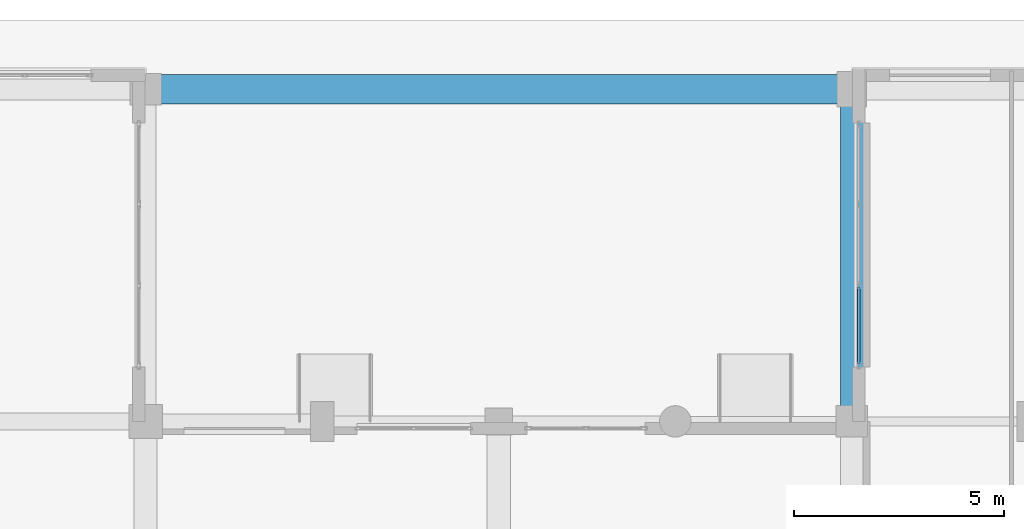
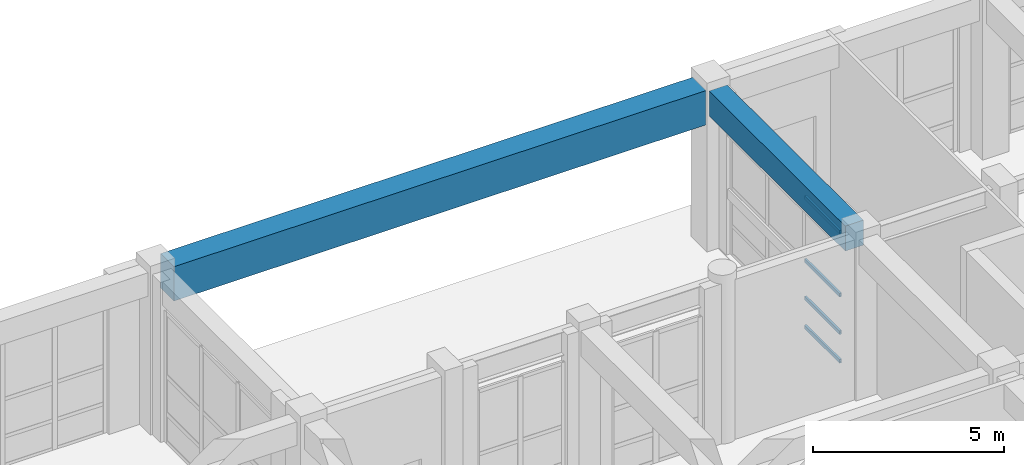
# One storey, part 90 of 148: 4 members, 2 beams, 1 element without a shape of its own.
"""IFC4 building model written with IfcOpenShell, lengths in metres."""

from ifc_helpers import new_model, si_unit, direction, frame, origin, origin_2d, place, context, subcontext, project, spatial, rectangle, hollow_rectangle, extrude, material, layer, layer_set, material_profile, profile_set, type_object, element, aggregate, save


model = new_model("IFC4")

# Units and contexts
model_context = context("Model", 3, precision=1e-05, world=origin(), true_north=direction((0.0, 1.0)))
body_context = subcontext(model_context, "Body", "Model", "MODEL_VIEW")
ifc_project = project(units=[si_unit("LENGTHUNIT", "METRE"), si_unit("AREAUNIT", "SQUARE_METRE"), si_unit("VOLUMEUNIT", "CUBIC_METRE"), si_unit("PLANEANGLEUNIT", "RADIAN"), si_unit("MASSUNIT", "GRAM", prefix="KILO")], contexts=[model_context])

# Site, building, storey
site_placement = place(None, origin())
site = spatial("IfcSite", under=ifc_project, at=site_placement, CompositionType="ELEMENT")
building_placement = place(site_placement, origin())
building = spatial("IfcBuilding", under=site, at=building_placement, Name="Quendrovan Civic Courthouse", CompositionType="ELEMENT")
storey_placement = place(building_placement, origin())
storey = spatial("IfcBuildingStorey", under=building, at=storey_placement, Name="L01", CompositionType="ELEMENT", Elevation=0.0)

# Beams
ifc_material_1 = material(Name="Post-tensioned concrete C50/60", Category="concrete")
ifc_material_profile_1 = material_profile(ifc_material_1, rectangle(XDim=0.699951171875, YDim=1.10009765625, at=origin_2d()), Name="PT-GIRD-700x1100")
ifc_profile_set_1 = profile_set([ifc_material_profile_1], Name="Post-tensioned concrete C50/60")
beam_type_1 = type_object("IfcBeamType", Name="BM-PT1100", PredefinedType="BEAM", material=ifc_profile_set_1)
beam_1_placement = place(storey_placement, frame((92.7548828125, 109.89990234375, 4.570068359375), z_axis=(1.0, 0.0, 0.0), x_axis=(0.0, 1.0, 0.0)))
element("IfcBeam", 1, at=beam_1_placement, inside=storey, type_object=beam_type_1, Name="L01 Girder X0363", PredefinedType="BEAM", context=body_context, shape_type="SweptSolid", body=[
    extrude(rectangle(XDim=0.699951171875, YDim=1.10009765625, at=origin_2d()), origin(), (0.0, 0.0, 1.0), 16.115234375),
])
ifc_material_2 = material(Name="Concrete C40/50", Category="concrete")
ifc_material_profile_2 = material_profile(ifc_material_2, rectangle(XDim=0.550048828125, YDim=0.800048828125, at=origin_2d()), Name="RC-BM-550x800")
ifc_profile_set_2 = profile_set([ifc_material_profile_2], Name="Concrete C40/50")
beam_type_2 = type_object("IfcBeamType", Name="BM-RC800", PredefinedType="BEAM", material=ifc_profile_set_2)
beam_2_placement = place(storey_placement, frame((109.199951171875, 102.35498046875, 4.719970703125), z_axis=(0.0, 1.0, 0.0), x_axis=(-1.0, 0.0, 0.0)))
element("IfcBeam", 2, at=beam_2_placement, inside=storey, type_object=beam_type_2, Name="L01 Girder Y0463", PredefinedType="BEAM", context=body_context, shape_type="SweptSolid", body=[
    extrude(rectangle(XDim=0.550048828125, YDim=0.800048828125, at=origin_2d()), origin(), (0.0, 0.0, 1.0), 7.14013671875),
])

# Curtain wall, members
ifc_material_3 = material(Name="Bronze anodised aluminium and low-E glass", Category="aluminium")
ifc_layer = layer(ifc_material_3, 0.179931640625, Name="Bronze anodised aluminium and low-E glass")
ifc_layer_set = layer_set([ifc_layer], Name="Bronze anodised aluminium and low-E glass")
curtain_wall_type = type_object("IfcCurtainWallType", Name="CW-U58x42", PredefinedType="USERDEFINED", material=ifc_layer_set)
curtain_wall_placement = place(storey_placement, origin())
curtain_wall = element("IfcCurtainWall", 3, at=curtain_wall_placement, inside=storey, type_object=curtain_wall_type, Name="L01 Unitised Hurricane Curtain Wall CW-035", ObjectType="UNITISED CURTAIN WALL", PredefinedType="USERDEFINED")
ifc_material_4 = material(Name="Bronze anodised aluminium", Category="aluminium")
ifc_material_profile_3 = material_profile(ifc_material_4, hollow_rectangle(XDim=0.06494140625, YDim=0.114990234375, WallThickness=0.00390625, at=origin_2d()), Name="CW-TRAN-65x115")
ifc_profile_set_3 = profile_set([ifc_material_profile_3], Name="Bronze anodised aluminium")
member_type = type_object("IfcMemberType", Name="CW-TRAN-B", PredefinedType="USERDEFINED", material=ifc_profile_set_3)
member_1_placement = place(storey_placement, frame((109.364990234375, 103.364990234375, 0.032470703125), z_axis=(0.0, 1.0, 0.0), x_axis=(-1.0, 0.0, 0.0)))
member_1 = element("IfcMember", 4, at=member_1_placement, type_object=member_type, Name="CW-035 transom 1.1", ObjectType="TRANSOM", PredefinedType="USERDEFINED", context=body_context, shape_type="SweptSolid", body=[
    extrude(hollow_rectangle(XDim=0.06494140625, YDim=0.114990234375, WallThickness=0.00390625, at=origin_2d()), origin(), (0.0, 0.0, 1.0), 1.8359375),
])
member_2_placement = place(storey_placement, frame((109.364990234375, 103.364990234375, 0.949951171875), z_axis=(0.0, 1.0, 0.0), x_axis=(-1.0, 0.0, 0.0)))
member_2 = element("IfcMember", 5, at=member_2_placement, type_object=member_type, Name="CW-035 transom 1.2", ObjectType="TRANSOM", PredefinedType="USERDEFINED", context=body_context, shape_type="SweptSolid", body=[
    extrude(hollow_rectangle(XDim=0.06494140625, YDim=0.114990234375, WallThickness=0.00390625, at=origin_2d()), origin(), (0.0, 0.0, 1.0), 1.8359375),
])
member_3_placement = place(storey_placement, frame((109.364990234375, 103.364990234375, 2.14990234375), z_axis=(0.0, 1.0, 0.0), x_axis=(-1.0, 0.0, 0.0)))
member_3 = element("IfcMember", 6, at=member_3_placement, type_object=member_type, Name="CW-035 transom 1.3", ObjectType="TRANSOM", PredefinedType="USERDEFINED", context=body_context, shape_type="SweptSolid", body=[
    extrude(hollow_rectangle(XDim=0.06494140625, YDim=0.114990234375, WallThickness=0.00390625, at=origin_2d()), origin(), (0.0, 0.0, 1.0), 1.8359375),
])
member_4_placement = place(storey_placement, frame((109.364990234375, 103.364990234375, 4.16748046875), z_axis=(0.0, 1.0, 0.0), x_axis=(-1.0, 0.0, 0.0)))
member_4 = element("IfcMember", 7, at=member_4_placement, type_object=member_type, Name="CW-035 transom 1.4", ObjectType="TRANSOM", PredefinedType="USERDEFINED", context=body_context, shape_type="SweptSolid", body=[
    extrude(hollow_rectangle(XDim=0.06494140625, YDim=0.114990234375, WallThickness=0.00390625, at=origin_2d()), origin(), (0.0, 0.0, 1.0), 1.8359375),
])
aggregate(curtain_wall, [member_1, member_2, member_3, member_4])

save(model, "model.ifc")
